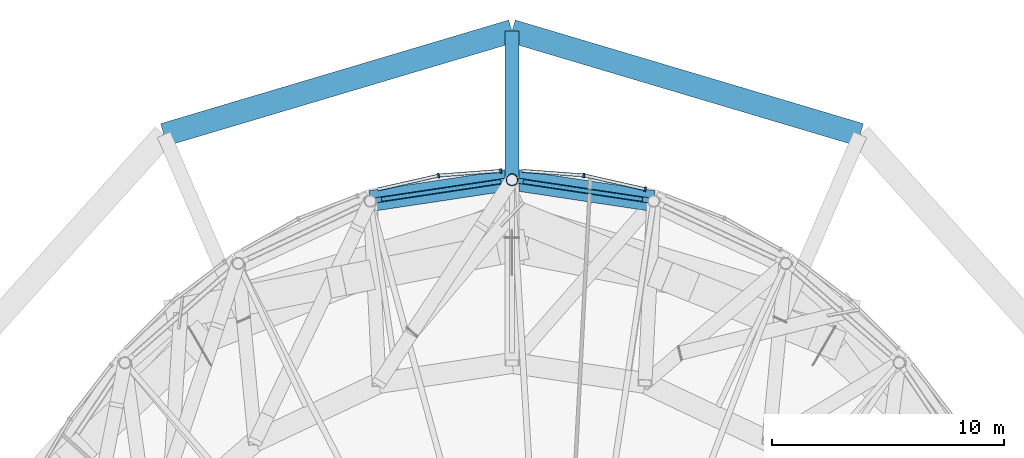
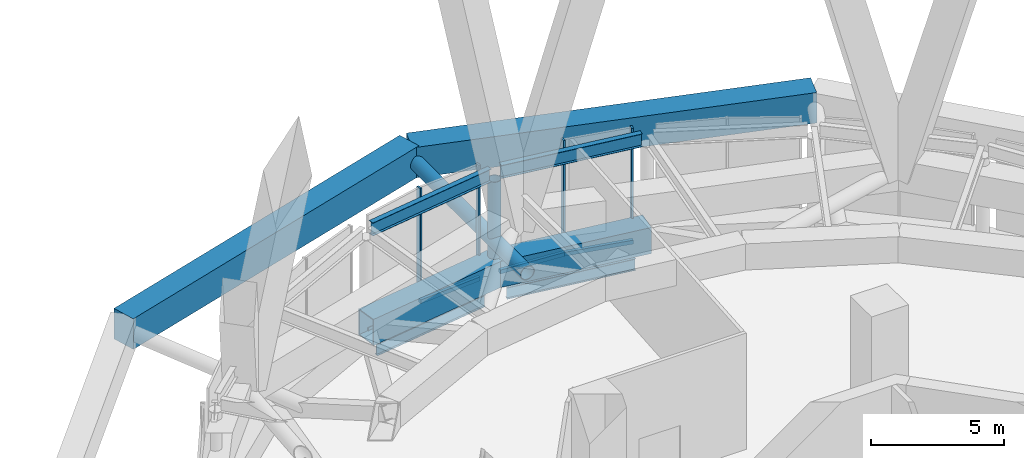
# One storey, part 35 of 48: 12 members, 6 beams, 4 elements without a shape of their own.
"""IFC4 building model written with IfcOpenShell, lengths in metres."""

from ifc_helpers import new_model, si_unit, direction, frame, origin, origin_2d, place, context, subcontext, project, spatial, rectangle, hollow_rectangle, hollow_circle, i_section, extrude, material, layer, layer_set, material_profile, profile_set, type_object, element, aggregate, save


model = new_model("IFC4")

# Units and contexts
model_context = context("Model", 3, precision=1e-05, world=origin(), true_north=direction((0.0, 1.0)))
body_context = subcontext(model_context, "Body", "Model", "MODEL_VIEW")
ifc_project = project(units=[si_unit("LENGTHUNIT", "METRE"), si_unit("AREAUNIT", "SQUARE_METRE"), si_unit("VOLUMEUNIT", "CUBIC_METRE"), si_unit("PLANEANGLEUNIT", "RADIAN"), si_unit("MASSUNIT", "GRAM", prefix="KILO")], contexts=[model_context])

# Site, building, storey
site_placement = place(None, origin())
site = spatial("IfcSite", under=ifc_project, at=site_placement, CompositionType="ELEMENT")
building_placement = place(site_placement, origin())
building = spatial("IfcBuilding", under=site, at=building_placement, Name="Nagisa Residences", CompositionType="ELEMENT")
storey_placement = place(building_placement, frame((0.0, 0.0, 252.89990234375)))
storey = spatial("IfcBuildingStorey", under=building, at=storey_placement, Name="L64", CompositionType="ELEMENT", Elevation=252.89990234375)

# Beams
ifc_material_1 = material(Name="Steel ASTM A572 Gr 50", Category="steel")
ifc_material_profile_1 = material_profile(ifc_material_1, hollow_rectangle(XDim=0.89990234375, YDim=1.199951171875, WallThickness=0.0400390625, at=origin_2d()), Name="BX 900x1200x40")
ifc_profile_set_1 = profile_set([ifc_material_profile_1], Name="Steel ASTM A572 Gr 50")
beam_type_1 = type_object("IfcBeamType", Name="Belt chord 5 BX 900x1200x40", PredefinedType="BEAM", material=ifc_profile_set_1)
for number, where, z_axis, x_axis, name in (
    (1, (4.30029296875, 29.091552734375, 0.60009765625), (-0.988907595105, 0.14853204484, 0.0), (-0.14853204484, -0.988907595105, 0.0), "beam:L64:bt5b06"),
    (2, (-1.800048828125, 30.0078125, 0.60009765625), (-0.988907595105, -0.14853204484, 0.0), (0.14853204484, -0.988907595105, 0.0), "beam:L64:bt5b07"),
):
    element("IfcBeam", number, at=place(storey_placement, frame(where, z_axis=z_axis, x_axis=x_axis)), inside=storey, type_object=beam_type_1, Name=name, PredefinedType="BEAM", context=body_context, shape_type="SweptSolid", body=[
        extrude(hollow_rectangle(XDim=0.89990234375, YDim=1.199951171875, WallThickness=0.0400390625, at=origin_2d()), origin(), (0.0, 0.0, 1.0), 6.168701171875),
    ])

# Curtain wall, member
ifc_material_2 = material(Name="Aluminium curtain wall system", Category="aluminium")
ifc_layer = layer(ifc_material_2, 0.159912109375)
ifc_layer_set = layer_set([ifc_layer], Name="CW2 CURTAIN WALL")
curtain_wall_type = type_object("IfcCurtainWallType", Name="CW2 CURTAIN WALL", PredefinedType="NOTDEFINED", material=ifc_layer_set)
curtain_wall_1_placement = place(storey_placement, origin())
curtain_wall_1 = element("IfcCurtainWall", 3, at=curtain_wall_1_placement, inside=storey, type_object=curtain_wall_type, Name="cw:CW2:L64:10", PredefinedType="NOTDEFINED")
ifc_material_3 = material(Name="Aluminium", Category="aluminium")
ifc_material_profile_2 = material_profile(ifc_material_3, rectangle(XDim=0.199951171875, YDim=0.080078125, at=origin_2d()), Name="CW2 MULLION 200x80")
ifc_profile_set_2 = profile_set([ifc_material_profile_2], Name="Aluminium")
member_type_1 = type_object("IfcMemberType", Name="CW2 MULLION 200x80", PredefinedType="MULLION", material=ifc_profile_set_2)
member_1_placement = place(storey_placement, frame((3.93408203125, 29.6044921875, 0.0), z_axis=(0.0, 0.0, 1.0), x_axis=(-0.2207639201, -0.975327274089, 0.0)))
member_1 = element("IfcMember", 4, at=member_1_placement, type_object=member_type_1, Name="CW2 mullion", PredefinedType="MULLION", context=body_context, shape_type="SweptSolid", body=[
    extrude(rectangle(XDim=0.199951171875, YDim=0.080078125, at=origin_2d()), origin(), (0.0, 0.0, 1.0), 5.340087890625),
])

curtain_wall_2_placement = place(storey_placement, origin())
curtain_wall_2 = element("IfcCurtainWall", 5, at=curtain_wall_2_placement, inside=storey, type_object=curtain_wall_type, Name="cw:CW2:L64:11", PredefinedType="NOTDEFINED")
member_2_placement = place(storey_placement, frame((1.2958984375, 30.196533203125, 0.0), z_axis=(0.0, 0.0, 1.0), x_axis=(-0.074377355493, -0.997230168512, 0.0)))
member_2 = element("IfcMember", 6, at=member_2_placement, type_object=member_type_1, Name="CW2 mullion", PredefinedType="MULLION", context=body_context, shape_type="SweptSolid", body=[
    extrude(rectangle(XDim=0.199951171875, YDim=0.080078125, at=origin_2d()), origin(), (0.0, 0.0, 1.0), 5.340087890625),
])

curtain_wall_3_placement = place(storey_placement, origin())
curtain_wall_3 = element("IfcCurtainWall", 7, at=curtain_wall_3_placement, inside=storey, type_object=curtain_wall_type, Name="cw:CW2:L64:12", PredefinedType="NOTDEFINED")
member_3_placement = place(storey_placement, frame((-2.28271484375, 30.391357421875, 0.0), z_axis=(0.0, 0.0, 1.0), x_axis=(0.074377355493, -0.997230168512, 0.0)))
member_3 = element("IfcMember", 8, at=member_3_placement, type_object=member_type_1, Name="CW2 mullion", PredefinedType="MULLION", context=body_context, shape_type="SweptSolid", body=[
    extrude(rectangle(XDim=0.199951171875, YDim=0.080078125, at=origin_2d()), origin(), (0.0, 0.0, 1.0), 5.340087890625),
])

curtain_wall_4_placement = place(storey_placement, origin())
curtain_wall_4 = element("IfcCurtainWall", 9, at=curtain_wall_4_placement, inside=storey, type_object=curtain_wall_type, Name="cw:CW2:L64:13", PredefinedType="NOTDEFINED")
member_4_placement = place(storey_placement, frame((-4.963134765625, 30.1865234375, 0.0), z_axis=(0.0, 0.0, 1.0), x_axis=(0.2207639201, -0.975327274089, 0.0)))
member_4 = element("IfcMember", 10, at=member_4_placement, type_object=member_type_1, Name="CW2 mullion", PredefinedType="MULLION", context=body_context, shape_type="SweptSolid", body=[
    extrude(rectangle(XDim=0.199951171875, YDim=0.080078125, at=origin_2d()), origin(), (0.0, 0.0, 1.0), 5.340087890625),
])

# Member
ifc_material_4 = material(Name="Aluminium", Category="aluminium")
ifc_material_profile_3 = material_profile(ifc_material_4, rectangle(XDim=0.139892578125, YDim=0.179931640625, at=origin_2d()), Name="CW2 TRANSOM 140x180")
ifc_profile_set_3 = profile_set([ifc_material_profile_3], Name="Aluminium")
member_type_2 = type_object("IfcMemberType", Name="CW2 TRANSOM 140x180", PredefinedType="USERDEFINED", material=ifc_profile_set_3)
member_5_placement = place(storey_placement, frame((3.97314453125, 29.595703125, 0.090087890625), z_axis=(-0.975324986877, 0.220774024679, 0.0), x_axis=(-0.220774024679, -0.975324986877, 0.0)))
member_5 = element("IfcMember", 11, at=member_5_placement, type_object=member_type_2, Name="CW2 transom", ObjectType="TRANSOM", PredefinedType="USERDEFINED", context=body_context, shape_type="SweptSolid", body=[
    extrude(rectangle(XDim=0.139892578125, YDim=0.179931640625, at=origin_2d()), origin(), (0.0, 0.0, 1.0), 2.7158203125),
])

aggregate(curtain_wall_1, [member_1, member_5])

member_6_placement = place(storey_placement, frame((1.335693359375, 30.193603515625, 0.090087890625), z_axis=(-0.997227893838, 0.074407847382, 0.0), x_axis=(-0.074407847382, -0.997227893838, 0.0)))
member_6 = element("IfcMember", 12, at=member_6_placement, type_object=member_type_2, Name="CW2 transom", ObjectType="TRANSOM", PredefinedType="USERDEFINED", context=body_context, shape_type="SweptSolid", body=[
    extrude(rectangle(XDim=0.139892578125, YDim=0.179931640625, at=origin_2d()), origin(), (0.0, 0.0, 1.0), 2.700439453125),
])

aggregate(curtain_wall_2, [member_2, member_6])

member_7_placement = place(storey_placement, frame((-2.242919921875, 30.39453125, 0.090087890625), z_axis=(-0.997227893838, -0.074407847382, 0.0), x_axis=(0.074407847382, -0.997227893838, 0.0)))
member_7 = element("IfcMember", 13, at=member_7_placement, type_object=member_type_2, Name="CW2 transom", ObjectType="TRANSOM", PredefinedType="USERDEFINED", context=body_context, shape_type="SweptSolid", body=[
    extrude(rectangle(XDim=0.139892578125, YDim=0.179931640625, at=origin_2d()), origin(), (0.0, 0.0, 1.0), 2.700439453125),
])

aggregate(curtain_wall_3, [member_3, member_7])

member_8_placement = place(storey_placement, frame((-4.924072265625, 30.1953125, 0.090087890625), z_axis=(-0.975329367728, -0.220754670274, 0.0), x_axis=(0.220754670274, -0.975329367728, 0.0)))
member_8 = element("IfcMember", 14, at=member_8_placement, type_object=member_type_2, Name="CW2 transom", ObjectType="TRANSOM", PredefinedType="USERDEFINED", context=body_context, shape_type="SweptSolid", body=[
    extrude(rectangle(XDim=0.139892578125, YDim=0.179931640625, at=origin_2d()), origin(), (0.0, 0.0, 1.0), 2.716064453125),
])

aggregate(curtain_wall_4, [member_4, member_8])

# Members
ifc_material_5 = material(Name="Concrete C80", Category="concrete")
ifc_material_profile_4 = material_profile(ifc_material_5, rectangle(XDim=1.0, YDim=1.39990234375, at=origin_2d()), Name="C80 1000x1400")
ifc_profile_set_4 = profile_set([ifc_material_profile_4], Name="Concrete C80")
member_type_3 = type_object("IfcMemberType", Name="Cage ring 5 C80 1000x1400", PredefinedType="CHORD", material=ifc_profile_set_4)
member_9_placement = place(storey_placement, frame((13.18505859375, 31.94775390625, 1.900146484375), z_axis=(-0.958450197919, 0.285259913253, 0.0), x_axis=(-0.285259913253, -0.958450197919, 0.0)))
element("IfcMember", 15, at=member_9_placement, inside=storey, type_object=member_type_3, Name="beam:L64:cg5r103", PredefinedType="CHORD", context=body_context, shape_type="SweptSolid", body=[
    extrude(rectangle(XDim=1.0, YDim=1.39990234375, at=origin_2d()), origin(), (0.0, 0.0, 1.0), 15.634765625),
])
member_10_placement = place(storey_placement, frame((-1.800048828125, 36.40771484375, 1.900146484375), z_axis=(-0.958448927225, -0.285264182648, 0.0), x_axis=(0.285264182648, -0.958448927225, 0.0)))
element("IfcMember", 16, at=member_10_placement, inside=storey, type_object=member_type_3, Name="beam:L64:cg5r104", PredefinedType="CHORD", context=body_context, shape_type="SweptSolid", body=[
    extrude(rectangle(XDim=1.0, YDim=1.39990234375, at=origin_2d()), origin(), (0.0, 0.0, 1.0), 15.634521484375),
])
ifc_material_6 = material(Name="Steel ASTM A572 Gr 65", Category="steel")
ifc_material_profile_5 = material_profile(ifc_material_6, hollow_circle(Radius=0.304931640625, WallThickness=0.02490234375, at=origin_2d()), Name="CHS 610x25")
ifc_profile_set_5 = profile_set([ifc_material_profile_5], Name="Steel ASTM A572 Gr 65")
member_type_4 = type_object("IfcMemberType", Name="Cage strut CHS 610x25", PredefinedType="STRUT", material=ifc_profile_set_5)
member_11_placement = place(storey_placement, frame((-1.800048828125, 36.40771484375, 1.900146484375), z_axis=(0.0, -1.0, 0.0), x_axis=(1.0, 0.0, 0.0)))
element("IfcMember", 17, at=member_11_placement, inside=storey, type_object=member_type_4, Name="mem:L64:bt5st5a04", PredefinedType="STRUT", context=body_context, shape_type="SweptSolid", body=[
    extrude(hollow_circle(Radius=0.304931640625, WallThickness=0.02490234375, at=origin_2d()), origin(), (0.0, 0.0, 1.0), 8.876220703125),
])

# Beams
ifc_material_7 = material(Name="Steel ASTM A572 Gr 50", Category="steel")
ifc_material_profile_6 = material_profile(ifc_material_7, i_section(OverallWidth=0.22802734375, OverallDepth=0.60302734375, WebThickness=0.010498046875, FlangeThickness=0.014892578125, at=origin_2d()), Name="W610x101")
ifc_profile_set_6 = profile_set([ifc_material_profile_6], Name="Steel ASTM A572 Gr 50")
beam_type_2 = type_object("IfcBeamType", Name="Garden edge beam W610x101", PredefinedType="BEAM", material=ifc_profile_set_6)
for number, where, z_axis, x_axis, name in (
    (18, (4.06884765625, 29.126220703125, 5.03857421875), (-0.988909006641, 0.148522646704, 0.0), (-0.148522646704, -0.988909006641, 0.0), "beam:L64:bt5ge06"),
    (19, (-2.031494140625, 29.972900390625, 5.03857421875), (-0.988909006641, -0.148522646704, 0.0), (0.148522646704, -0.988909006641, 0.0), "beam:L64:bt5ge07"),
):
    element("IfcBeam", number, at=place(storey_placement, frame(where, z_axis=z_axis, x_axis=x_axis)), inside=storey, type_object=beam_type_2, Name=name, PredefinedType="BEAM", context=body_context, shape_type="SweptSolid", body=[
        extrude(i_section(OverallWidth=0.22802734375, OverallDepth=0.60302734375, WebThickness=0.010498046875, FlangeThickness=0.014892578125, at=origin_2d()), origin(), (0.0, 0.0, 1.0), 5.70068359375),
    ])

# Member
ifc_material_8 = material(Name="Steel ASTM A572 Gr 65", Category="steel")
ifc_material_profile_7 = material_profile(ifc_material_8, hollow_circle(Radius=0.25390625, WallThickness=0.02001953125, at=origin_2d()), Name="CHS 508x20")
ifc_profile_set_7 = profile_set([ifc_material_profile_7], Name="Steel ASTM A572 Gr 65")
member_type_5 = type_object("IfcMemberType", Name="Garden edge post CHS 508x20", PredefinedType="POST", material=ifc_profile_set_7)
member_12_placement = place(storey_placement, frame((-1.800048828125, 30.0078125, 1.2001953125), z_axis=(0.0, 0.0, 1.0), x_axis=(1.0, 0.0, 0.0)))
element("IfcMember", 20, at=member_12_placement, inside=storey, type_object=member_type_5, Name="mem:L64:gp507", PredefinedType="POST", context=body_context, shape_type="SweptSolid", body=[
    extrude(hollow_circle(Radius=0.25390625, WallThickness=0.02001953125, at=origin_2d()), origin(), (0.0, 0.0, 1.0), 3.536865234375),
])

# Beams
ifc_material_9 = material(Name="Steel ASTM A572 Gr 50", Category="steel")
ifc_material_profile_8 = material_profile(ifc_material_9, i_section(OverallWidth=0.166015625, OverallDepth=0.534912109375, WebThickness=0.01025390625, FlangeThickness=0.0166015625, at=origin_2d()), Name="W530x85")
ifc_profile_set_8 = profile_set([ifc_material_profile_8], Name="Steel ASTM A572 Gr 50")
beam_type_3 = type_object("IfcBeamType", Name="Perimeter ring beam W530x85", PredefinedType="BEAM", material=ifc_profile_set_8)
for number, where, z_axis, x_axis, name in (
    (21, (3.8203125, 29.16357421875, -0.617431640625), (-0.988909463745, 0.148519603133, 0.0), (-0.148519603133, -0.988909463745, 0.0), "beam:L64:pb06"),
    (22, (-2.2802734375, 29.935546875, -0.617431640625), (-0.988909463745, -0.148519603133, 0.0), (0.148519603133, -0.988909463745, 0.0), "beam:L64:pb07"),
):
    element("IfcBeam", number, at=place(storey_placement, frame(where, z_axis=z_axis, x_axis=x_axis)), inside=storey, type_object=beam_type_3, Name=name, PredefinedType="BEAM", context=body_context, shape_type="SweptSolid", body=[
        extrude(i_section(OverallWidth=0.166015625, OverallDepth=0.534912109375, WebThickness=0.01025390625, FlangeThickness=0.0166015625, at=origin_2d()), origin(), (0.0, 0.0, 1.0), 5.19775390625),
    ])

save(model, "model.ifc")
